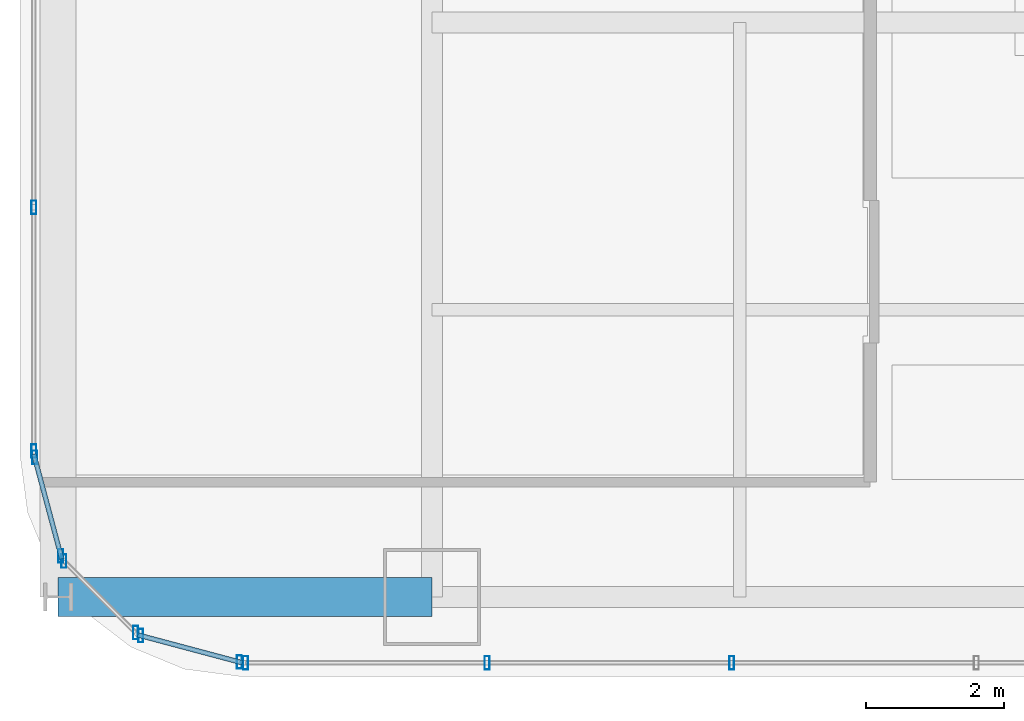
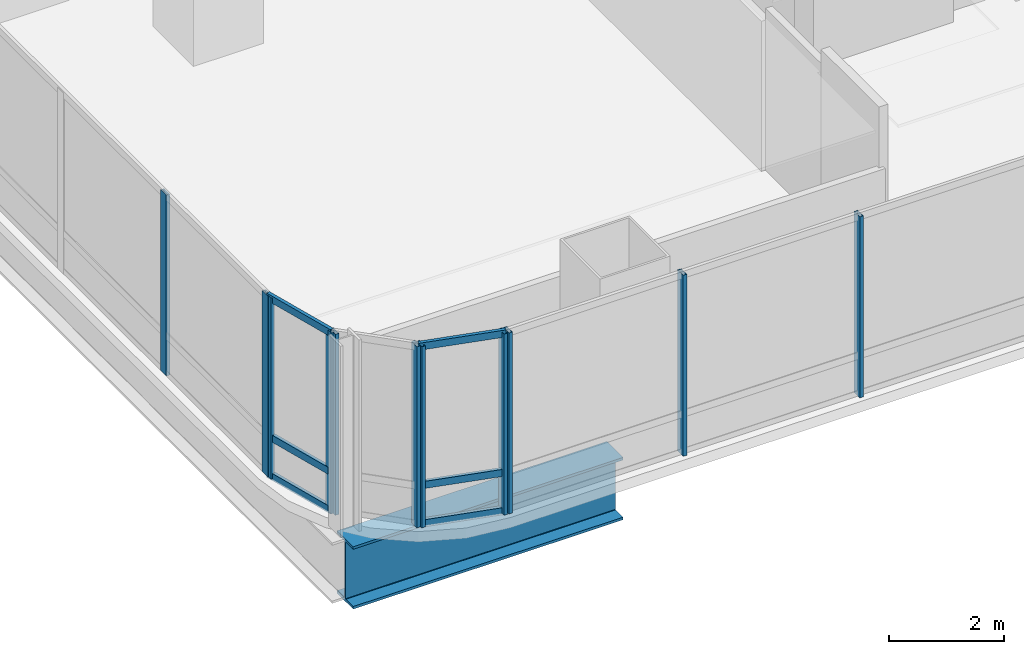
# One storey, part 2 of 38: 17 members, 1 beam, 5 elements without a shape of their own.
"""IFC4 building model written with IfcOpenShell, lengths in metres."""

from ifc_helpers import new_model, si_unit, direction, frame, origin, origin_2d, place, context, subcontext, project, spatial, hollow_rectangle, i_section, extrude, material, material_profile, profile_set, type_object, element, aggregate, save


model = new_model("IFC4")

# Units and contexts
model_context = context("Model", 3, precision=1e-05, world=origin(), true_north=direction((0.0, 1.0)))
body_context = subcontext(model_context, "Body", "Model", "MODEL_VIEW")
ifc_project = project(units=[si_unit("LENGTHUNIT", "METRE"), si_unit("AREAUNIT", "SQUARE_METRE"), si_unit("VOLUMEUNIT", "CUBIC_METRE"), si_unit("PLANEANGLEUNIT", "RADIAN"), si_unit("MASSUNIT", "GRAM", prefix="KILO")], contexts=[model_context])

# Site, building, storey
site_placement = place(None, origin())
site = spatial("IfcSite", under=ifc_project, at=site_placement, CompositionType="ELEMENT")
building_placement = place(site_placement, origin())
building = spatial("IfcBuilding", under=site, at=building_placement, Name="Punatoya Terracotta Tower", CompositionType="ELEMENT")
storey_placement = place(building_placement, frame((0.0, 0.0, 151.949951171875)))
storey = spatial("IfcBuildingStorey", under=building, at=storey_placement, Name="L35", CompositionType="ELEMENT", Elevation=151.949951171875)

# Beam
ifc_material_1 = material(Name="Steel S460", Category="steel")
ifc_material_profile_1 = material_profile(ifc_material_1, i_section(OverallWidth=0.56005859375, OverallDepth=1.320068359375, WebThickness=0.035888671875, FlangeThickness=0.054931640625, FilletRadius=0.01806640625, at=origin_2d()))
ifc_profile_set_1 = profile_set([ifc_material_profile_1], Name="Steel S460")
beam_type = type_object("IfcBeamType", Name="BM-TG-BLK", PredefinedType="BEAM", material=ifc_profile_set_1)
beam_placement = place(storey_placement, frame((-24.5, -17.5, -0.8798828125), z_axis=(1.0, 0.0, 0.0), x_axis=(0.0, 1.0, 0.0)))
element("IfcBeam", 1, at=beam_placement, inside=storey, type_object=beam_type, Name="BM-L35-CANT-W1", PredefinedType="BEAM", context=body_context, shape_type="SweptSolid", body=[
    extrude(i_section(OverallWidth=0.56005859375, OverallDepth=1.320068359375, WebThickness=0.035888671875, FlangeThickness=0.054931640625, FilletRadius=0.01806640625, at=origin_2d()), origin(), (0.0, 0.0, 1.0), 5.39990234375),
])

# Curtain wall, members
ifc_material_2 = material(Name="Aluminium 6063-T6 + Double Low-E Glass", Category="aluminium")
curtain_wall_type = type_object("IfcCurtainWallType", Name="CW-M2", PredefinedType="NOTDEFINED", material=ifc_material_2)
curtain_wall_1_placement = place(storey_placement, origin())
curtain_wall_1 = element("IfcCurtainWall", 2, at=curtain_wall_1_placement, inside=storey, type_object=curtain_wall_type, Name="L35 Curtain Wall CW-L35-S01-1", PredefinedType="NOTDEFINED")
ifc_material_3 = material(Name="Aluminium 6063-T6", Category="aluminium")
ifc_material_profile_2 = material_profile(ifc_material_3, hollow_rectangle(XDim=0.072021484375, YDim=0.195068359375, WallThickness=0.00439453125, at=origin_2d()))
ifc_profile_set_2 = profile_set([ifc_material_profile_2], Name="Aluminium 6063-T6")
member_type_1 = type_object("IfcMemberType", Name="CW-MUL-M2", PredefinedType="MULLION", material=ifc_profile_set_2)
member_1_placement = place(storey_placement, frame((-21.7919921875, -18.449951171875, 0.0), z_axis=(0.0, 0.0, 1.0), x_axis=(1.0, 0.0, 0.0)))
member_1 = element("IfcMember", 3, at=member_1_placement, type_object=member_type_1, Name="CW-L35-S01-1 Mullion 00", PredefinedType="MULLION", context=body_context, shape_type="SweptSolid", body=[
    extrude(hollow_rectangle(XDim=0.072021484375, YDim=0.195068359375, WallThickness=0.00439453125, at=origin_2d()), origin(), (0.0, 0.0, 1.0), 3.830078125),
])
member_2_placement = place(storey_placement, frame((-18.302978515625, -18.449951171875, 0.0), z_axis=(0.0, 0.0, 1.0), x_axis=(1.0, 0.0, 0.0)))
member_2 = element("IfcMember", 4, at=member_2_placement, type_object=member_type_1, Name="CW-L35-S01-1 Mullion 01", PredefinedType="MULLION", context=body_context, shape_type="SweptSolid", body=[
    extrude(hollow_rectangle(XDim=0.072021484375, YDim=0.195068359375, WallThickness=0.00439453125, at=origin_2d()), origin(), (0.0, 0.0, 1.0), 3.830078125),
])
member_3_placement = place(storey_placement, frame((-14.768798828125, -18.449951171875, 0.0), z_axis=(0.0, 0.0, 1.0), x_axis=(1.0, 0.0, 0.0)))
member_3 = element("IfcMember", 5, at=member_3_placement, type_object=member_type_1, Name="CW-L35-S01-1 Mullion 02", PredefinedType="MULLION", context=body_context, shape_type="SweptSolid", body=[
    extrude(hollow_rectangle(XDim=0.072021484375, YDim=0.195068359375, WallThickness=0.00439453125, at=origin_2d()), origin(), (0.0, 0.0, 1.0), 3.830078125),
])
aggregate(curtain_wall_1, [member_1, member_2, member_3])

curtain_wall_2_placement = place(storey_placement, origin())
curtain_wall_2 = element("IfcCurtainWall", 6, at=curtain_wall_2_placement, inside=storey, type_object=curtain_wall_type, Name="L35 Curtain Wall CW-L35-W13-1", PredefinedType="NOTDEFINED")
member_4_placement = place(storey_placement, frame((-24.85009765625, -11.869384765625, 0.0), z_axis=(0.0, 0.0, 1.0), x_axis=(1.0, 0.0, 0.0)))
member_4 = element("IfcMember", 7, at=member_4_placement, type_object=member_type_1, Name="CW-L35-W13-1 Mullion 09", PredefinedType="MULLION", context=body_context, shape_type="SweptSolid", body=[
    extrude(hollow_rectangle(XDim=0.072021484375, YDim=0.195068359375, WallThickness=0.00439453125, at=origin_2d()), origin(), (0.0, 0.0, 1.0), 3.830078125),
])
member_5_placement = place(storey_placement, frame((-24.85009765625, -15.391845703125, 0.0), z_axis=(0.0, 0.0, 1.0), x_axis=(1.0, 0.0, 0.0)))
member_5 = element("IfcMember", 8, at=member_5_placement, type_object=member_type_1, Name="CW-L35-W13-1 Mullion 10", PredefinedType="MULLION", context=body_context, shape_type="SweptSolid", body=[
    extrude(hollow_rectangle(XDim=0.072021484375, YDim=0.195068359375, WallThickness=0.00439453125, at=origin_2d()), origin(), (0.0, 0.0, 1.0), 3.830078125),
])
aggregate(curtain_wall_2, [member_4, member_5])

curtain_wall_3_placement = place(storey_placement, origin())
curtain_wall_3 = element("IfcCurtainWall", 9, at=curtain_wall_3_placement, inside=storey, type_object=curtain_wall_type, Name="L35 Curtain Wall CW-L35-CRN14", PredefinedType="NOTDEFINED")
member_6_placement = place(storey_placement, frame((-24.83837890625, -15.48046875, 0.0), z_axis=(0.0, 0.0, 1.0), x_axis=(1.0, 0.0, 0.0)))
member_6 = element("IfcMember", 10, at=member_6_placement, type_object=member_type_1, Name="CW-L35-CRN14 Mullion 00", PredefinedType="MULLION", context=body_context, shape_type="SweptSolid", body=[
    extrude(hollow_rectangle(XDim=0.072021484375, YDim=0.195068359375, WallThickness=0.00439453125, at=origin_2d()), origin(), (0.0, 0.0, 1.0), 3.830078125),
])
member_7_placement = place(storey_placement, frame((-24.458251953125, -16.905517578125, 0.0), z_axis=(0.0, 0.0, 1.0), x_axis=(1.0, 0.0, 0.0)))
member_7 = element("IfcMember", 11, at=member_7_placement, type_object=member_type_1, Name="CW-L35-CRN14 Mullion 01", PredefinedType="MULLION", context=body_context, shape_type="SweptSolid", body=[
    extrude(hollow_rectangle(XDim=0.072021484375, YDim=0.195068359375, WallThickness=0.00439453125, at=origin_2d()), origin(), (0.0, 0.0, 1.0), 3.830078125),
])

curtain_wall_4_placement = place(storey_placement, origin())
curtain_wall_4 = element("IfcCurtainWall", 12, at=curtain_wall_4_placement, inside=storey, type_object=curtain_wall_type, Name="L35 Curtain Wall CW-L35-CRN15", PredefinedType="NOTDEFINED")
member_8_placement = place(storey_placement, frame((-24.414794921875, -16.98095703125, 0.0), z_axis=(0.0, 0.0, 1.0), x_axis=(1.0, 0.0, 0.0)))
member_8 = element("IfcMember", 13, at=member_8_placement, type_object=member_type_1, Name="CW-L35-CRN15 Mullion 00", PredefinedType="MULLION", context=body_context, shape_type="SweptSolid", body=[
    extrude(hollow_rectangle(XDim=0.072021484375, YDim=0.195068359375, WallThickness=0.00439453125, at=origin_2d()), origin(), (0.0, 0.0, 1.0), 3.830078125),
])
member_9_placement = place(storey_placement, frame((-23.380859375, -18.014892578125, 0.0), z_axis=(0.0, 0.0, 1.0), x_axis=(1.0, 0.0, 0.0)))
member_9 = element("IfcMember", 14, at=member_9_placement, type_object=member_type_1, Name="CW-L35-CRN15 Mullion 01", PredefinedType="MULLION", context=body_context, shape_type="SweptSolid", body=[
    extrude(hollow_rectangle(XDim=0.072021484375, YDim=0.195068359375, WallThickness=0.00439453125, at=origin_2d()), origin(), (0.0, 0.0, 1.0), 3.830078125),
])
aggregate(curtain_wall_4, [member_8, member_9])

curtain_wall_5_placement = place(storey_placement, origin())
curtain_wall_5 = element("IfcCurtainWall", 15, at=curtain_wall_5_placement, inside=storey, type_object=curtain_wall_type, Name="L35 Curtain Wall CW-L35-CRN16", PredefinedType="NOTDEFINED")
member_10_placement = place(storey_placement, frame((-23.3056640625, -18.05810546875, 0.0), z_axis=(0.0, 0.0, 1.0), x_axis=(1.0, 0.0, 0.0)))
member_10 = element("IfcMember", 16, at=member_10_placement, type_object=member_type_1, Name="CW-L35-CRN16 Mullion 00", PredefinedType="MULLION", context=body_context, shape_type="SweptSolid", body=[
    extrude(hollow_rectangle(XDim=0.072021484375, YDim=0.195068359375, WallThickness=0.00439453125, at=origin_2d()), origin(), (0.0, 0.0, 1.0), 3.830078125),
])
member_11_placement = place(storey_placement, frame((-21.88037109375, -18.4384765625, 0.0), z_axis=(0.0, 0.0, 1.0), x_axis=(1.0, 0.0, 0.0)))
member_11 = element("IfcMember", 17, at=member_11_placement, type_object=member_type_1, Name="CW-L35-CRN16 Mullion 01", PredefinedType="MULLION", context=body_context, shape_type="SweptSolid", body=[
    extrude(hollow_rectangle(XDim=0.072021484375, YDim=0.195068359375, WallThickness=0.00439453125, at=origin_2d()), origin(), (0.0, 0.0, 1.0), 3.830078125),
])

# Member
ifc_material_profile_3 = material_profile(ifc_material_3, hollow_rectangle(XDim=0.068115234375, YDim=0.14990234375, WallThickness=0.00390625, at=origin_2d()))
ifc_profile_set_3 = profile_set([ifc_material_profile_3], Name="Aluminium 6063-T6")
member_type_2 = type_object("IfcMemberType", Name="CW-TRN-TYP", PredefinedType="USERDEFINED", material=ifc_profile_set_3)
member_12_placement = place(storey_placement, frame((-24.85009765625, -15.43701171875, 0.0400390625), z_axis=(0.257847112249, -0.966185730957, 0.0), x_axis=(0.966185730957, 0.257847112249, 0.0)))
member_12 = element("IfcMember", 18, at=member_12_placement, type_object=member_type_2, Name="CW-L35-CRN14 Transom 1", ObjectType="TRANSOM", PredefinedType="USERDEFINED", context=body_context, shape_type="SweptSolid", body=[
    extrude(hollow_rectangle(XDim=0.068115234375, YDim=0.14990234375, WallThickness=0.00390625, at=origin_2d()), origin(), (0.0, 0.0, 1.0), 1.565185546875),
])

member_13_placement = place(storey_placement, frame((-24.85009765625, -15.43701171875, 0.85009765625), z_axis=(0.257847112249, -0.966185730957, 0.0), x_axis=(0.966185730957, 0.257847112249, 0.0)))
member_13 = element("IfcMember", 19, at=member_13_placement, type_object=member_type_2, Name="CW-L35-CRN14 Transom 2", ObjectType="TRANSOM", PredefinedType="USERDEFINED", context=body_context, shape_type="SweptSolid", body=[
    extrude(hollow_rectangle(XDim=0.068115234375, YDim=0.14990234375, WallThickness=0.00390625, at=origin_2d()), origin(), (0.0, 0.0, 1.0), 1.565185546875),
])

member_14_placement = place(storey_placement, frame((-24.85009765625, -15.43701171875, 3.7900390625), z_axis=(0.257847112249, -0.966185730957, 0.0), x_axis=(0.966185730957, 0.257847112249, 0.0)))
member_14 = element("IfcMember", 20, at=member_14_placement, type_object=member_type_2, Name="CW-L35-CRN14 Transom 3", ObjectType="TRANSOM", PredefinedType="USERDEFINED", context=body_context, shape_type="SweptSolid", body=[
    extrude(hollow_rectangle(XDim=0.068115234375, YDim=0.14990234375, WallThickness=0.00390625, at=origin_2d()), origin(), (0.0, 0.0, 1.0), 1.565185546875),
])

aggregate(curtain_wall_3, [member_6, member_7, member_12, member_13, member_14])

member_15_placement = place(storey_placement, frame((-23.34912109375, -18.046630859375, 0.0400390625), z_axis=(0.966224582397, -0.257701486942, 0.0), x_axis=(0.257701486942, 0.966224582397, 0.0)))
member_15 = element("IfcMember", 21, at=member_15_placement, type_object=member_type_2, Name="CW-L35-CRN16 Transom 1", ObjectType="TRANSOM", PredefinedType="USERDEFINED", context=body_context, shape_type="SweptSolid", body=[
    extrude(hollow_rectangle(XDim=0.068115234375, YDim=0.14990234375, WallThickness=0.00390625, at=origin_2d()), origin(), (0.0, 0.0, 1.0), 1.565185546875),
])

member_16_placement = place(storey_placement, frame((-23.34912109375, -18.046630859375, 0.85009765625), z_axis=(0.966224582397, -0.257701486942, 0.0), x_axis=(0.257701486942, 0.966224582397, 0.0)))
member_16 = element("IfcMember", 22, at=member_16_placement, type_object=member_type_2, Name="CW-L35-CRN16 Transom 2", ObjectType="TRANSOM", PredefinedType="USERDEFINED", context=body_context, shape_type="SweptSolid", body=[
    extrude(hollow_rectangle(XDim=0.068115234375, YDim=0.14990234375, WallThickness=0.00390625, at=origin_2d()), origin(), (0.0, 0.0, 1.0), 1.565185546875),
])

member_17_placement = place(storey_placement, frame((-23.34912109375, -18.046630859375, 3.7900390625), z_axis=(0.966224582397, -0.257701486942, 0.0), x_axis=(0.257701486942, 0.966224582397, 0.0)))
member_17 = element("IfcMember", 23, at=member_17_placement, type_object=member_type_2, Name="CW-L35-CRN16 Transom 3", ObjectType="TRANSOM", PredefinedType="USERDEFINED", context=body_context, shape_type="SweptSolid", body=[
    extrude(hollow_rectangle(XDim=0.068115234375, YDim=0.14990234375, WallThickness=0.00390625, at=origin_2d()), origin(), (0.0, 0.0, 1.0), 1.565185546875),
])

aggregate(curtain_wall_5, [member_10, member_11, member_15, member_16, member_17])

save(model, "model.ifc")
